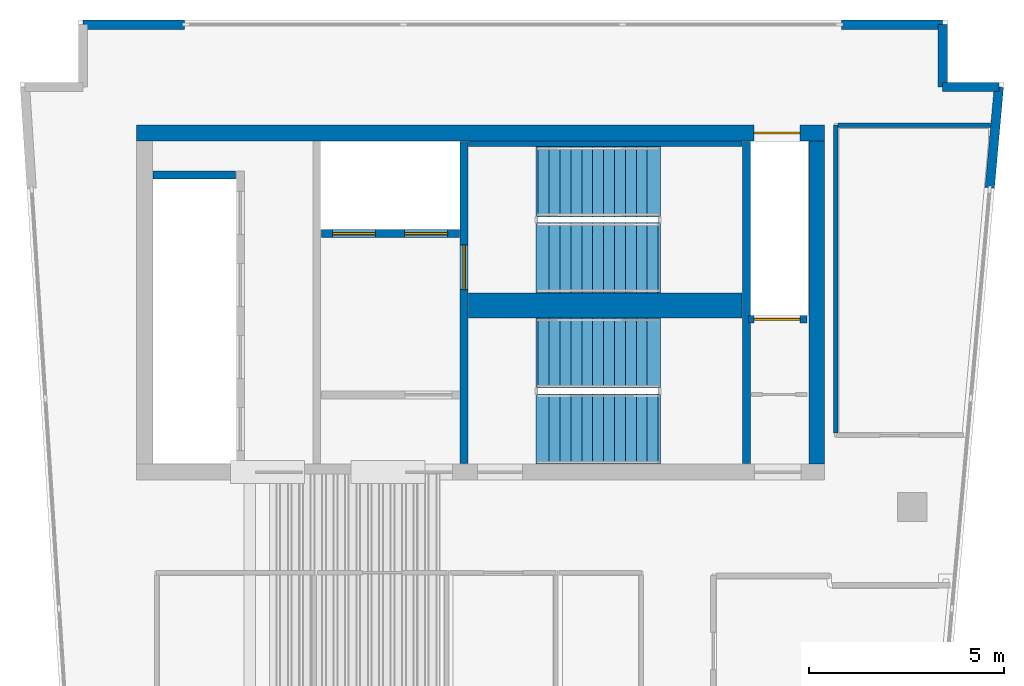
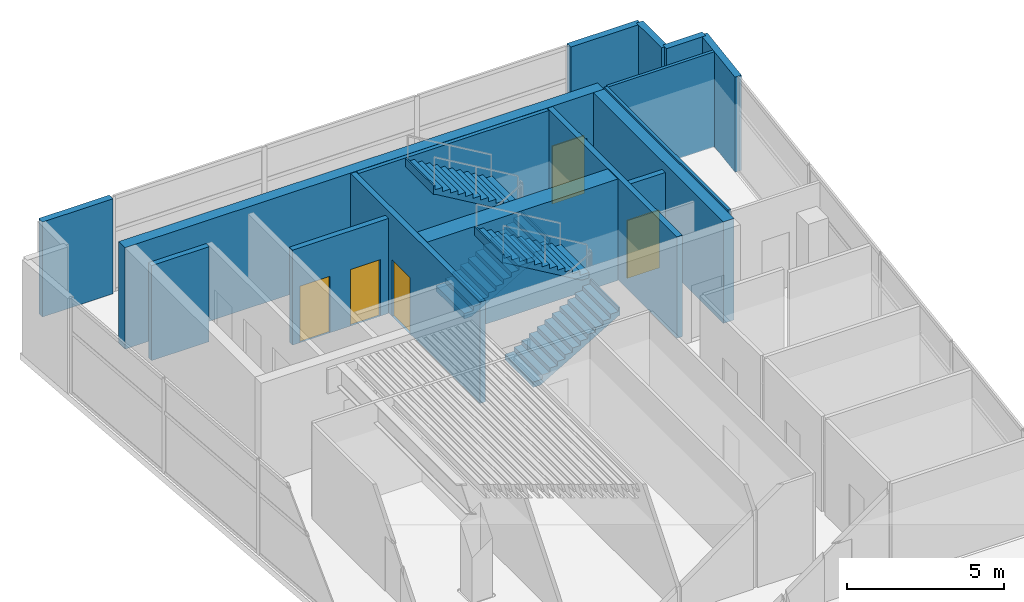
# One storey, part 5 of 7: 16 walls, 5 doors, 4 stair flights, 5 openings, 2 elements without a shape of their own.
"""IFC4 building model written with IfcOpenShell, lengths in metres."""

from ifc_helpers import new_model, si_unit, direction, frame, frame_2d, origin, place, context, subcontext, project, spatial, polyline, rectangle, outline, extrude, material, layer, layer_set, type_object, element, fill, aggregate, save


model = new_model("IFC4")

# Units and contexts
model_context = context("Model", 3, precision=1e-05, world=origin(), true_north=direction((0.0, 1.0)))
body_context = subcontext(model_context, "Body", "Model", "MODEL_VIEW")
ifc_project = project(units=[si_unit("LENGTHUNIT", "METRE"), si_unit("AREAUNIT", "SQUARE_METRE"), si_unit("VOLUMEUNIT", "CUBIC_METRE"), si_unit("PLANEANGLEUNIT", "RADIAN"), si_unit("MASSUNIT", "GRAM", prefix="KILO")], contexts=[model_context])

# Site, building, storey
site_placement = place(None, origin())
site = spatial("IfcSite", under=ifc_project, at=site_placement, CompositionType="ELEMENT")
building_placement = place(site_placement, origin())
building = spatial("IfcBuilding", under=site, at=building_placement, Name="Caeloran Harvest Quay", CompositionType="ELEMENT")
storey_placement = place(building_placement, frame((0.0, 0.0, 308.050048828125)))
storey = spatial("IfcBuildingStorey", under=building, at=storey_placement, Name="L74", CompositionType="ELEMENT", Elevation=308.050048828125)

# Walls
ifc_material_1 = material(Name="Precast concrete C50/60", Category="concrete")
ifc_layer_1 = layer(ifc_material_1, 0.239990234375, Name="Precast concrete C50/60")
ifc_layer_set_1 = layer_set([ifc_layer_1], Name="Precast concrete C50/60")
wall_type_1 = type_object("IfcWallType", Name="ENV-WALL-EW-240", PredefinedType="STANDARD", material=ifc_layer_set_1)
for number, where, z_axis, x_axis, name in (
    (1, (4.219970703125, 43.3798828125, 0.0), (0.0, 0.0, 1.0), (1.0, 0.0, 0.0), "L74 Exterior Facade Corner Pier Wall 6A"),
    (2, (23.679931640625, 43.3798828125, 0.0), (0.0, 0.0, 1.0), (1.0, 0.0, 0.0), "L74 Exterior Facade Corner Pier Wall 6B"),
):
    element("IfcWall", number, at=place(storey_placement, frame(where, z_axis=z_axis, x_axis=x_axis)), inside=storey, type_object=wall_type_1, Name=name, PredefinedType="STANDARD", context=body_context, shape_type="SweptSolid", body=[
        extrude(rectangle(XDim=2.60009765625, YDim=0.239990234375, at=frame_2d((1.300048828125, 0.0))), origin(), (0.0, 0.0, 1.0), 3.699951171875),
    ])
wall_1_placement = place(storey_placement, frame((26.280029296875, 43.3798828125, 0.0), z_axis=(0.0, 0.0, 1.0), x_axis=(0.0, -1.0, 0.0)))
element("IfcWall", 3, at=wall_1_placement, inside=storey, type_object=wall_type_1, Name="L74 Exterior Precast Concrete Facade Wall 7", PredefinedType="STANDARD", context=body_context, shape_type="SweptSolid", body=[
    extrude(rectangle(XDim=1.599853515625, YDim=0.239990234375, at=frame_2d((0.7998046875, 0.0))), origin(), (0.0, 0.0, 1.0), 3.699951171875),
])
wall_2_placement = place(storey_placement, frame((26.280029296875, 41.780029296875, 0.0), z_axis=(0.0, 0.0, 1.0), x_axis=(1.0, 0.0, 0.0)))
element("IfcWall", 4, at=wall_2_placement, inside=storey, type_object=wall_type_1, Name="L74 Exterior Precast Concrete Facade Wall 8", PredefinedType="STANDARD", context=body_context, shape_type="SweptSolid", body=[
    extrude(rectangle(XDim=1.4443359375, YDim=0.239990234375, at=frame_2d((0.72216796875, 0.0))), origin(), (0.0, 0.0, 1.0), 3.699951171875),
])
wall_3_placement = place(storey_placement, frame((27.724365234375, 41.780029296875, 0.0), z_axis=(0.0, 0.0, 1.0), x_axis=(-0.089765303723, -0.995962946222, 0.0)))
element("IfcWall", 5, at=wall_3_placement, inside=storey, type_object=wall_type_1, Name="L74 Exterior Facade Corner Pier Wall 9A", PredefinedType="STANDARD", context=body_context, shape_type="SweptSolid", body=[
    extrude(rectangle(XDim=2.60009765625, YDim=0.239990234375, at=frame_2d((1.300048828125, 0.0))), origin(), (0.0, 0.0, 1.0), 3.699951171875),
])
ifc_material_2 = material(Name="Single-Stud Acoustic Gypsum Office Partition", Category="gypsum")
ifc_layer_2 = layer(ifc_material_2, 0.112060546875, Name="Single-Stud Acoustic Gypsum Office Partition")
ifc_layer_set_2 = layer_set([ifc_layer_2], Name="Single-Stud Acoustic Gypsum Office Partition")
wall_type_2 = type_object("IfcWallType", Name="INT-WALL-PW-112", PredefinedType="PARTITIONING", material=ifc_layer_set_2)
wall_4_placement = place(storey_placement, frame((23.5400390625, 32.90087890625, 0.0), z_axis=(0.0, 0.0, 1.0), x_axis=(0.0, 1.0, 0.0)))
element("IfcWall", 6, at=wall_4_placement, inside=storey, type_object=wall_type_2, Name="L74 Bioinformatics and Crop Phenotyping Laboratory Partition Wall", PredefinedType="PARTITIONING", context=body_context, shape_type="SweptSolid", body=[
    extrude(rectangle(XDim=7.899169921875, YDim=0.112060546875, at=frame_2d((3.94970703125, 0.0))), origin(), (0.0, 0.0, 1.0), 3.699951171875),
])
wall_5_placement = place(storey_placement, frame((23.60107421875, 40.800048828125, 0.0), z_axis=(0.0, 0.0, 1.0), x_axis=(1.0, 0.0, 0.0)))
element("IfcWall", 7, at=wall_5_placement, inside=storey, type_object=wall_type_2, Name="L74 Bioinformatics and Crop Phenotyping Laboratory Partition Wall", PredefinedType="PARTITIONING", context=body_context, shape_type="SweptSolid", body=[
    extrude(rectangle(XDim=3.909423828125, YDim=0.112060546875, at=frame_2d((1.95458984375, 0.0))), origin(), (0.0, 0.0, 1.0), 3.699951171875),
])
ifc_material_3 = material(Name="Concrete C50/60", Category="concrete")
ifc_layer_3 = layer(ifc_material_3, 0.199951171875, Name="Concrete C50/60")
ifc_layer_set_3 = layer_set([ifc_layer_3], Name="Concrete C50/60")
wall_type_3 = type_object("IfcWallType", Name="INT-WALL-SW-200", PredefinedType="PARTITIONING", material=ifc_layer_set_3)
wall_6_placement = place(storey_placement, frame((6.02001953125, 39.52001953125, 0.0), z_axis=(0.0, 0.0, 1.0), x_axis=(1.0, 0.0, 0.0)))
element("IfcWall", 8, at=wall_6_placement, inside=storey, type_object=wall_type_3, Name="L74 Bank 3 Lift Shaft North End Wall", PredefinedType="PARTITIONING", context=body_context, shape_type="SweptSolid", body=[
    extrude(rectangle(XDim=2.119873046875, YDim=0.199951171875, at=frame_2d((1.06005859375, 0.0))), origin(), (0.0, 0.0, 1.0), 3.699951171875),
])

# Wall, openings, doors
wall_7_placement = place(storey_placement, frame((10.340087890625, 38.02001953125, 0.0), z_axis=(0.0, 0.0, 1.0), x_axis=(1.0, 0.0, 0.0)))
wall_7 = element("IfcWall", 9, at=wall_7_placement, inside=storey, type_object=wall_type_3, Name="L74 Firefighting Lift Shaft Wall", PredefinedType="PARTITIONING", context=body_context, shape_type="SweptSolid", body=[
    extrude(rectangle(XDim=3.539794921875, YDim=0.199951171875, at=frame_2d((1.77001953125, 0.0))), origin(), (0.0, 0.0, 1.0), 3.699951171875),
])
opening_1_placement = place(wall_7_placement, frame((0.284912109375, 0.0, 0.0)))
opening_1 = element("IfcOpeningElement", 10, at=opening_1_placement, cuts=wall_7, Name="Opening LD-01", PredefinedType="OPENING", context=body_context, shape_type="SweptSolid", body=[
    extrude(rectangle(XDim=1.10009765625, YDim=2.199951171875, at=frame_2d((0.550048828125, 1.10009765625))), frame((0.0, 0.10986328125, 0.0), z_axis=(0.0, -1.0, 0.0), x_axis=(1.0, 0.0, 0.0)), (0.0, 0.0, 1.0), 0.219970703125),
])
opening_2_placement = place(wall_7_placement, frame((2.135009765625, 0.0, 0.0)))
opening_2 = element("IfcOpeningElement", 11, at=opening_2_placement, cuts=wall_7, Name="Opening LD-01", PredefinedType="OPENING", context=body_context, shape_type="SweptSolid", body=[
    extrude(rectangle(XDim=1.10009765625, YDim=2.199951171875, at=frame_2d((0.550048828125, 1.10009765625))), frame((0.0, 0.10986328125, 0.0), z_axis=(0.0, -1.0, 0.0), x_axis=(1.0, 0.0, 0.0)), (0.0, 0.0, 1.0), 0.219970703125),
])
ifc_material_4 = material(Name="Stainless Steel Grade 316", Category="steel")
door_type_1 = type_object("IfcDoorType", Name="INTDOOR-LD-01", OperationType="NOTDEFINED", PredefinedType="DOOR", material=ifc_material_4)
door_1_placement = place(opening_1_placement, origin())
door_1 = element("IfcDoor", 12, at=door_1_placement, inside=storey, type_object=door_type_1, Name="Lift FF-1 Sliding Landing Door (L74)", OperationType="DOUBLE_DOOR_SLIDING", OverallHeight=2.199951171875, OverallWidth=1.10009765625, PredefinedType="DOOR", context=body_context, shape_type="SweptSolid", body=[
    extrude(rectangle(XDim=1.10009765625, YDim=2.199951171875, at=frame_2d((0.550048828125, 1.10009765625))), frame((0.0, 0.02490234375, 0.0), z_axis=(0.0, -1.0, 0.0), x_axis=(1.0, 0.0, 0.0)), (0.0, 0.0, 1.0), 0.050048828125),
])
fill(opening_1, door_1)
door_2_placement = place(opening_2_placement, origin())
door_2 = element("IfcDoor", 13, at=door_2_placement, inside=storey, type_object=door_type_1, Name="Lift FF-2 Sliding Landing Door (L74)", OperationType="DOUBLE_DOOR_SLIDING", OverallHeight=2.199951171875, OverallWidth=1.10009765625, PredefinedType="DOOR", context=body_context, shape_type="SweptSolid", body=[
    extrude(rectangle(XDim=1.10009765625, YDim=2.199951171875, at=frame_2d((0.550048828125, 1.10009765625))), frame((0.0, 0.02490234375, 0.0), z_axis=(0.0, -1.0, 0.0), x_axis=(1.0, 0.0, 0.0)), (0.0, 0.0, 1.0), 0.050048828125),
])
fill(opening_2, door_2)

# Wall, opening, door
wall_8_placement = place(storey_placement, frame((21.300048828125, 35.820068359375, 0.0), z_axis=(0.0, 0.0, 1.0), x_axis=(1.0, 0.0, 0.0)))
wall_8 = element("IfcWall", 14, at=wall_8_placement, inside=storey, type_object=wall_type_3, Name="L74 Service Lift SV-2 Shaft Wall", PredefinedType="PARTITIONING", context=body_context, shape_type="SweptSolid", body=[
    extrude(rectangle(XDim=1.5, YDim=0.199951171875, at=frame_2d((0.75, 0.0))), origin(), (0.0, 0.0, 1.0), 3.699951171875),
])
opening_3_placement = place(wall_8_placement, frame((0.14501953125, 0.0, 0.0)))
opening_3 = element("IfcOpeningElement", 15, at=opening_3_placement, cuts=wall_8, Name="Opening LD-02", PredefinedType="OPENING", context=body_context, shape_type="SweptSolid", body=[
    extrude(rectangle(XDim=1.179931640625, YDim=2.25, at=frame_2d((0.58984375, 1.125))), frame((0.0, 0.10986328125, 0.0), z_axis=(0.0, -1.0, 0.0), x_axis=(1.0, 0.0, 0.0)), (0.0, 0.0, 1.0), 0.219970703125),
])
door_type_2 = type_object("IfcDoorType", Name="INTDOOR-LD-02", OperationType="NOTDEFINED", PredefinedType="DOOR", material=ifc_material_4)
door_3_placement = place(opening_3_placement, origin())
door_3 = element("IfcDoor", 16, at=door_3_placement, inside=storey, type_object=door_type_2, Name="Lift SV-2 Sliding Landing Door (L74)", OperationType="DOUBLE_DOOR_SLIDING", OverallHeight=2.25, OverallWidth=1.179931640625, PredefinedType="DOOR", context=body_context, shape_type="SweptSolid", body=[
    extrude(rectangle(XDim=1.179931640625, YDim=2.25, at=frame_2d((0.58984375, 1.125))), frame((0.0, 0.02490234375, 0.0), z_axis=(0.0, -1.0, 0.0), x_axis=(1.0, 0.0, 0.0)), (0.0, 0.0, 1.0), 0.050048828125),
])
fill(opening_3, door_3)

ifc_material_5 = material(Name="Concrete C60/75", Category="concrete")
ifc_layer_4 = layer(ifc_material_5, 0.39990234375, Name="Concrete C60/75")
ifc_layer_set_4 = layer_set([ifc_layer_4], Name="Concrete C60/75")
wall_type_4 = type_object("IfcWallType", Name="STR-WALL-CW-400", PredefinedType="SHEAR", material=ifc_layer_set_4)
wall_9_placement = place(storey_placement, frame((5.60009765625, 40.60009765625, 0.0), z_axis=(0.0, 0.0, 1.0), x_axis=(1.0, 0.0, 0.0)))
wall_9 = element("IfcWall", 17, at=wall_9_placement, inside=storey, type_object=wall_type_4, Name="L74 Rear Core Shear Wall N", PredefinedType="SHEAR", context=body_context, shape_type="SweptSolid", body=[
    extrude(rectangle(XDim=17.64990234375, YDim=0.39990234375, at=frame_2d((8.824951171875, 0.0))), origin(), (0.0, 0.0, 1.0), 3.949951171875),
])
opening_4_placement = place(wall_9_placement, frame((15.844970703125, 0.0, 0.0)))
opening_4 = element("IfcOpeningElement", 18, at=opening_4_placement, cuts=wall_9, Name="Opening LD-02", PredefinedType="OPENING", context=body_context, shape_type="SweptSolid", body=[
    extrude(rectangle(XDim=1.179931640625, YDim=2.25, at=frame_2d((0.58984375, 1.125))), frame((0.0, 0.2099609375, 0.0), z_axis=(0.0, -1.0, 0.0), x_axis=(1.0, 0.0, 0.0)), (0.0, 0.0, 1.0), 0.419921875),
])
door_4_placement = place(opening_4_placement, origin())
door_4 = element("IfcDoor", 19, at=door_4_placement, inside=storey, type_object=door_type_2, Name="Lift SV-1 Sliding Landing Door (L74)", OperationType="DOUBLE_DOOR_SLIDING", OverallHeight=2.25, OverallWidth=1.179931640625, PredefinedType="DOOR", context=body_context, shape_type="SweptSolid", body=[
    extrude(rectangle(XDim=1.179931640625, YDim=2.25, at=frame_2d((0.58984375, 1.125))), frame((0.0, 0.02490234375, 0.0), z_axis=(0.0, -1.0, 0.0), x_axis=(1.0, 0.0, 0.0)), (0.0, 0.0, 1.0), 0.050048828125),
])
fill(opening_4, door_4)

# Walls
wall_10_placement = place(storey_placement, frame((23.050048828125, 32.10009765625, 0.0), z_axis=(0.0, 0.0, 1.0), x_axis=(0.0, 1.0, 0.0)))
element("IfcWall", 20, at=wall_10_placement, inside=storey, type_object=wall_type_4, Name="L74 Rear Core Shear Wall E", PredefinedType="SHEAR", context=body_context, shape_type="SweptSolid", body=[
    extrude(rectangle(XDim=8.2998046875, YDim=0.39990234375, at=frame_2d((4.14990234375, 0.0))), origin(), (0.0, 0.0, 1.0), 3.949951171875),
])
ifc_layer_5 = layer(ifc_material_5, 0.64990234375, Name="Concrete C60/75")
ifc_layer_set_5 = layer_set([ifc_layer_5], Name="Concrete C60/75")
wall_type_5 = type_object("IfcWallType", Name="STR-WALL-CW-650", PredefinedType="SHEAR", material=ifc_layer_set_5)
wall_11_placement = place(storey_placement, frame((14.1201171875, 36.175048828125, 0.0), z_axis=(0.0, 0.0, 1.0), x_axis=(1.0, 0.0, 0.0)))
element("IfcWall", 21, at=wall_11_placement, inside=storey, type_object=wall_type_5, Name="L74 Core Stairs Dividing Shear Wall", PredefinedType="SHEAR", context=body_context, shape_type="SweptSolid", body=[
    extrude(rectangle(XDim=7.009765625, YDim=0.64990234375, at=frame_2d((3.5048828125, 0.0))), origin(), (0.0, 0.0, 1.0), 3.949951171875),
])
ifc_layer_6 = layer(ifc_material_5, 0.139892578125, Name="Concrete C60/75")
ifc_layer_set_6 = layer_set([ifc_layer_6], Name="Concrete C60/75")
wall_type_6 = type_object("IfcWallType", Name="STR-WALL-SW-140", PredefinedType="SHEAR", material=ifc_layer_set_6)
wall_12_placement = place(storey_placement, frame((14.1201171875, 40.320068359375, 0.0), z_axis=(0.0, 0.0, 1.0), x_axis=(1.0, 0.0, 0.0)))
element("IfcWall", 22, at=wall_12_placement, inside=storey, type_object=wall_type_6, Name="L74 Core Stair ST-C1 North Bearing Shear Wall", PredefinedType="SHEAR", context=body_context, shape_type="SweptSolid", body=[
    extrude(rectangle(XDim=7.009765625, YDim=0.139892578125, at=frame_2d((3.5048828125, 0.0))), origin(), (0.0, 0.0, 1.0), 3.949951171875),
])

# Wall, opening, door
ifc_layer_7 = layer(ifc_material_5, 0.199951171875, Name="Concrete C60/75")
ifc_layer_set_7 = layer_set([ifc_layer_7], Name="Concrete C60/75")
wall_type_7 = type_object("IfcWallType", Name="STR-WALL-SW-200", PredefinedType="SHEAR", material=ifc_layer_set_7)
wall_13_placement = place(storey_placement, frame((14.0, 32.1201171875, 0.0), z_axis=(0.0, 0.0, 1.0), x_axis=(0.0, 1.0, 0.0)))
wall_13 = element("IfcWall", 23, at=wall_13_placement, inside=storey, type_object=wall_type_7, Name="L74 Core Stair Shaft West Shear Wall", PredefinedType="SHEAR", context=body_context, shape_type="SweptSolid", body=[
    extrude(rectangle(XDim=8.259765625, YDim=0.199951171875, at=frame_2d((4.1298828125, 0.0))), origin(), (0.0, 0.0, 1.0), 3.949951171875),
])
opening_5_placement = place(wall_13_placement, frame((4.4599609375, 0.0, 0.0)))
opening_5 = element("IfcOpeningElement", 24, at=opening_5_placement, cuts=wall_13, Name="Opening SD-01", PredefinedType="OPENING", context=body_context, shape_type="SweptSolid", body=[
    extrude(rectangle(XDim=1.14990234375, YDim=2.199951171875, at=frame_2d((0.574951171875, 1.10009765625))), frame((0.0, 0.10986328125, 0.0), z_axis=(0.0, -1.0, 0.0), x_axis=(1.0, 0.0, 0.0)), (0.0, 0.0, 1.0), 0.219970703125),
])
ifc_material_6 = material(Name="Steel", Category="steel")
door_type_3 = type_object("IfcDoorType", Name="INTDOOR-SD-01", OperationType="NOTDEFINED", PredefinedType="DOOR", material=ifc_material_6)
door_5_placement = place(opening_5_placement, origin())
door_5 = element("IfcDoor", 25, at=door_5_placement, inside=storey, type_object=door_type_3, Name="L74 Protected Stair ST-C1 Exit Door", OperationType="SINGLE_SWING_LEFT", OverallHeight=2.199951171875, OverallWidth=1.14990234375, PredefinedType="DOOR", context=body_context, shape_type="SweptSolid", body=[
    extrude(rectangle(XDim=1.14990234375, YDim=2.199951171875, at=frame_2d((0.574951171875, 1.10009765625))), frame((0.0, 0.02490234375, 0.0), z_axis=(0.0, -1.0, 0.0), x_axis=(1.0, 0.0, 0.0)), (0.0, 0.0, 1.0), 0.050048828125),
])
fill(opening_5, door_5)

# Wall
wall_14_placement = place(storey_placement, frame((21.25, 32.1201171875, 0.0), z_axis=(0.0, 0.0, 1.0), x_axis=(0.0, 1.0, 0.0)))
element("IfcWall", 26, at=wall_14_placement, inside=storey, type_object=wall_type_7, Name="L74 Core Stair Shaft East Shear Wall", PredefinedType="SHEAR", context=body_context, shape_type="SweptSolid", body=[
    extrude(rectangle(XDim=8.259765625, YDim=0.199951171875, at=frame_2d((4.1298828125, 0.0))), origin(), (0.0, 0.0, 1.0), 3.949951171875),
])

# Stair, stair flights
stair_type = type_object("IfcStairType", Name="STAIR-STC-180", PredefinedType="HALF_TURN_STAIR", material=ifc_material_3)
stair_1_placement = place(storey_placement, origin())
stair_1 = element("IfcStair", 27, at=stair_1_placement, inside=storey, type_object=stair_type, Name="L74 Core Pressurized Exit Stair ST-C1", PredefinedType="HALF_TURN_STAIR")
stair_flight_type = type_object("IfcStairFlightType", Name="FLIGHT-STC-180", PredefinedType="STRAIGHT", material=ifc_material_3)
stair_flight_1_placement = place(storey_placement, frame((15.89990234375, 37.39990234375, 0.0), z_axis=(0.0, 0.0, 1.0), x_axis=(1.0, 0.0, 0.0)))
stair_flight_1 = element("IfcStairFlight", 28, at=stair_flight_1_placement, type_object=stair_flight_type, Name="ST-C1 flight 1", NumberOfRisers=12, NumberOfTreads=11, PredefinedType="STRAIGHT", RiserHeight=0.164583333, TreadLength=0.28, context=body_context, shape_type="SweptSolid", body=[
    extrude(outline(polyline([(-0.054931640625, -0.044921875), (-0.054931640625, -0.031982421875), (-0.054931640625, -0.018798828125), (-0.054931640625, -0.005615234375), (-0.054931640625, 0.00732421875), (-0.054931640625, 0.0205078125), (-0.054931640625, 0.03369140625), (-0.054931640625, 0.046630859375), (-0.054931640625, 0.059814453125), (-0.054931640625, 0.072998046875), (-0.054931640625, 0.0859375), (-0.054931640625, 0.09912109375), (-0.054931640625, 0.1123046875), (-0.054931640625, 0.125244140625), (-0.054931640625, 0.138427734375), (-0.054931640625, 0.1513671875), (-0.054931640625, 0.16455078125), (0.280029296875, 0.16455078125), (0.280029296875, 0.3291015625), (0.56005859375, 0.3291015625), (0.56005859375, 0.49365234375), (0.840087890625, 0.49365234375), (0.840087890625, 0.658447265625), (1.1201171875, 0.658447265625), (1.1201171875, 0.822998046875), (1.39990234375, 0.822998046875), (1.39990234375, 0.987548828125), (1.679931640625, 0.987548828125), (1.679931640625, 1.152099609375), (1.9599609375, 1.152099609375), (1.9599609375, 1.316650390625), (2.239990234375, 1.316650390625), (2.239990234375, 1.481201171875), (2.52001953125, 1.481201171875), (2.52001953125, 1.645751953125), (2.800048828125, 1.645751953125), (2.800048828125, 1.810302734375), (3.080078125, 1.810302734375), (3.080078125, 1.97509765625), (3.135009765625, 1.97509765625), (3.135009765625, 1.953857421875), (3.135009765625, 1.9326171875), (3.135009765625, 1.91162109375), (3.135009765625, 1.890380859375), (3.135009765625, 1.869140625), (3.135009765625, 1.84814453125), (3.135009765625, 1.826904296875), (3.135009765625, 1.8056640625), (3.135009765625, 1.78466796875), (3.135009765625, 1.763427734375), (3.135009765625, 1.7421875), (3.135009765625, 1.72119140625), (3.135009765625, 1.699951171875), (3.135009765625, 1.678955078125), (3.135009765625, 1.65771484375), (3.135009765625, 1.636474609375), (3.080078125, 1.636474609375), (0.21923828125, -0.044921875), (-0.054931640625, -0.044921875)])), frame((0.0, 0.89990234375, 0.0), z_axis=(0.0, -1.0, 0.0), x_axis=(1.0, 0.0, 0.0)), (0.0, 0.0, 1.0), 1.800048828125),
])
stair_flight_2_placement = place(storey_placement, frame((18.97998046875, 39.35009765625, 1.974853515625), z_axis=(0.0, 0.0, 1.0), x_axis=(-1.0, 0.0, 0.0)))
stair_flight_2 = element("IfcStairFlight", 29, at=stair_flight_2_placement, type_object=stair_flight_type, Name="ST-C1 flight 2", NumberOfRisers=12, NumberOfTreads=11, PredefinedType="STRAIGHT", RiserHeight=0.164583333, TreadLength=0.28, context=body_context, shape_type="SweptSolid", body=[
    extrude(outline(polyline([(-0.054931640625, -0.044921875), (-0.054931640625, -0.031982421875), (-0.054931640625, -0.018798828125), (-0.054931640625, -0.005615234375), (-0.054931640625, 0.00732421875), (-0.054931640625, 0.0205078125), (-0.054931640625, 0.03369140625), (-0.054931640625, 0.046630859375), (-0.054931640625, 0.059814453125), (-0.054931640625, 0.072998046875), (-0.054931640625, 0.0859375), (-0.054931640625, 0.09912109375), (-0.054931640625, 0.1123046875), (-0.054931640625, 0.125244140625), (-0.054931640625, 0.138427734375), (-0.054931640625, 0.1513671875), (-0.054931640625, 0.16455078125), (0.280029296875, 0.16455078125), (0.280029296875, 0.3291015625), (0.56005859375, 0.3291015625), (0.56005859375, 0.49365234375), (0.840087890625, 0.49365234375), (0.840087890625, 0.658447265625), (1.1201171875, 0.658447265625), (1.1201171875, 0.822998046875), (1.39990234375, 0.822998046875), (1.39990234375, 0.987548828125), (1.679931640625, 0.987548828125), (1.679931640625, 1.152099609375), (1.9599609375, 1.152099609375), (1.9599609375, 1.316650390625), (2.239990234375, 1.316650390625), (2.239990234375, 1.481201171875), (2.52001953125, 1.481201171875), (2.52001953125, 1.645751953125), (2.800048828125, 1.645751953125), (2.800048828125, 1.810302734375), (3.080078125, 1.810302734375), (3.080078125, 1.97509765625), (3.135009765625, 1.97509765625), (3.135009765625, 1.953857421875), (3.135009765625, 1.9326171875), (3.135009765625, 1.91162109375), (3.135009765625, 1.890380859375), (3.135009765625, 1.869140625), (3.135009765625, 1.84814453125), (3.135009765625, 1.826904296875), (3.135009765625, 1.8056640625), (3.135009765625, 1.78466796875), (3.135009765625, 1.763427734375), (3.135009765625, 1.7421875), (3.135009765625, 1.72119140625), (3.135009765625, 1.699951171875), (3.135009765625, 1.678955078125), (3.135009765625, 1.65771484375), (3.135009765625, 1.636474609375), (3.080078125, 1.636474609375), (0.21923828125, -0.044921875), (-0.054931640625, -0.044921875)])), frame((0.0, 0.89990234375, 0.0), z_axis=(0.0, -1.0, 0.0), x_axis=(1.0, 0.0, 0.0)), (0.0, 0.0, 1.0), 1.800048828125),
])
aggregate(stair_1, [stair_flight_1, stair_flight_2])

stair_2_placement = place(storey_placement, origin())
stair_2 = element("IfcStair", 30, at=stair_2_placement, inside=storey, type_object=stair_type, Name="L74 Core Pressurized Exit Stair ST-C2", PredefinedType="HALF_TURN_STAIR")
stair_flight_3_placement = place(storey_placement, frame((15.89990234375, 33.0, 0.0), z_axis=(0.0, 0.0, 1.0), x_axis=(1.0, 0.0, 0.0)))
stair_flight_3 = element("IfcStairFlight", 31, at=stair_flight_3_placement, type_object=stair_flight_type, Name="ST-C2 flight 1", NumberOfRisers=12, NumberOfTreads=11, PredefinedType="STRAIGHT", RiserHeight=0.164583333, TreadLength=0.28, context=body_context, shape_type="SweptSolid", body=[
    extrude(outline(polyline([(-0.054931640625, -0.044921875), (-0.054931640625, -0.031982421875), (-0.054931640625, -0.018798828125), (-0.054931640625, -0.005615234375), (-0.054931640625, 0.00732421875), (-0.054931640625, 0.0205078125), (-0.054931640625, 0.03369140625), (-0.054931640625, 0.046630859375), (-0.054931640625, 0.059814453125), (-0.054931640625, 0.072998046875), (-0.054931640625, 0.0859375), (-0.054931640625, 0.09912109375), (-0.054931640625, 0.1123046875), (-0.054931640625, 0.125244140625), (-0.054931640625, 0.138427734375), (-0.054931640625, 0.1513671875), (-0.054931640625, 0.16455078125), (0.280029296875, 0.16455078125), (0.280029296875, 0.3291015625), (0.56005859375, 0.3291015625), (0.56005859375, 0.49365234375), (0.840087890625, 0.49365234375), (0.840087890625, 0.658447265625), (1.1201171875, 0.658447265625), (1.1201171875, 0.822998046875), (1.39990234375, 0.822998046875), (1.39990234375, 0.987548828125), (1.679931640625, 0.987548828125), (1.679931640625, 1.152099609375), (1.9599609375, 1.152099609375), (1.9599609375, 1.316650390625), (2.239990234375, 1.316650390625), (2.239990234375, 1.481201171875), (2.52001953125, 1.481201171875), (2.52001953125, 1.645751953125), (2.800048828125, 1.645751953125), (2.800048828125, 1.810302734375), (3.080078125, 1.810302734375), (3.080078125, 1.97509765625), (3.135009765625, 1.97509765625), (3.135009765625, 1.953857421875), (3.135009765625, 1.9326171875), (3.135009765625, 1.91162109375), (3.135009765625, 1.890380859375), (3.135009765625, 1.869140625), (3.135009765625, 1.84814453125), (3.135009765625, 1.826904296875), (3.135009765625, 1.8056640625), (3.135009765625, 1.78466796875), (3.135009765625, 1.763427734375), (3.135009765625, 1.7421875), (3.135009765625, 1.72119140625), (3.135009765625, 1.699951171875), (3.135009765625, 1.678955078125), (3.135009765625, 1.65771484375), (3.135009765625, 1.636474609375), (3.080078125, 1.636474609375), (0.21923828125, -0.044921875), (-0.054931640625, -0.044921875)])), frame((0.0, 0.89990234375, 0.0), z_axis=(0.0, -1.0, 0.0), x_axis=(1.0, 0.0, 0.0)), (0.0, 0.0, 1.0), 1.800048828125),
])
stair_flight_4_placement = place(storey_placement, frame((18.97998046875, 34.949951171875, 1.974853515625), z_axis=(0.0, 0.0, 1.0), x_axis=(-1.0, 0.0, 0.0)))
stair_flight_4 = element("IfcStairFlight", 32, at=stair_flight_4_placement, type_object=stair_flight_type, Name="ST-C2 flight 2", NumberOfRisers=12, NumberOfTreads=11, PredefinedType="STRAIGHT", RiserHeight=0.164583333, TreadLength=0.28, context=body_context, shape_type="SweptSolid", body=[
    extrude(outline(polyline([(-0.054931640625, -0.044921875), (-0.054931640625, -0.031982421875), (-0.054931640625, -0.018798828125), (-0.054931640625, -0.005615234375), (-0.054931640625, 0.00732421875), (-0.054931640625, 0.0205078125), (-0.054931640625, 0.03369140625), (-0.054931640625, 0.046630859375), (-0.054931640625, 0.059814453125), (-0.054931640625, 0.072998046875), (-0.054931640625, 0.0859375), (-0.054931640625, 0.09912109375), (-0.054931640625, 0.1123046875), (-0.054931640625, 0.125244140625), (-0.054931640625, 0.138427734375), (-0.054931640625, 0.1513671875), (-0.054931640625, 0.16455078125), (0.280029296875, 0.16455078125), (0.280029296875, 0.3291015625), (0.56005859375, 0.3291015625), (0.56005859375, 0.49365234375), (0.840087890625, 0.49365234375), (0.840087890625, 0.658447265625), (1.1201171875, 0.658447265625), (1.1201171875, 0.822998046875), (1.39990234375, 0.822998046875), (1.39990234375, 0.987548828125), (1.679931640625, 0.987548828125), (1.679931640625, 1.152099609375), (1.9599609375, 1.152099609375), (1.9599609375, 1.316650390625), (2.239990234375, 1.316650390625), (2.239990234375, 1.481201171875), (2.52001953125, 1.481201171875), (2.52001953125, 1.645751953125), (2.800048828125, 1.645751953125), (2.800048828125, 1.810302734375), (3.080078125, 1.810302734375), (3.080078125, 1.97509765625), (3.135009765625, 1.97509765625), (3.135009765625, 1.953857421875), (3.135009765625, 1.9326171875), (3.135009765625, 1.91162109375), (3.135009765625, 1.890380859375), (3.135009765625, 1.869140625), (3.135009765625, 1.84814453125), (3.135009765625, 1.826904296875), (3.135009765625, 1.8056640625), (3.135009765625, 1.78466796875), (3.135009765625, 1.763427734375), (3.135009765625, 1.7421875), (3.135009765625, 1.72119140625), (3.135009765625, 1.699951171875), (3.135009765625, 1.678955078125), (3.135009765625, 1.65771484375), (3.135009765625, 1.636474609375), (3.080078125, 1.636474609375), (0.21923828125, -0.044921875), (-0.054931640625, -0.044921875)])), frame((0.0, 0.89990234375, 0.0), z_axis=(0.0, -1.0, 0.0), x_axis=(1.0, 0.0, 0.0)), (0.0, 0.0, 1.0), 1.800048828125),
])
aggregate(stair_2, [stair_flight_3, stair_flight_4])

save(model, "model.ifc")
